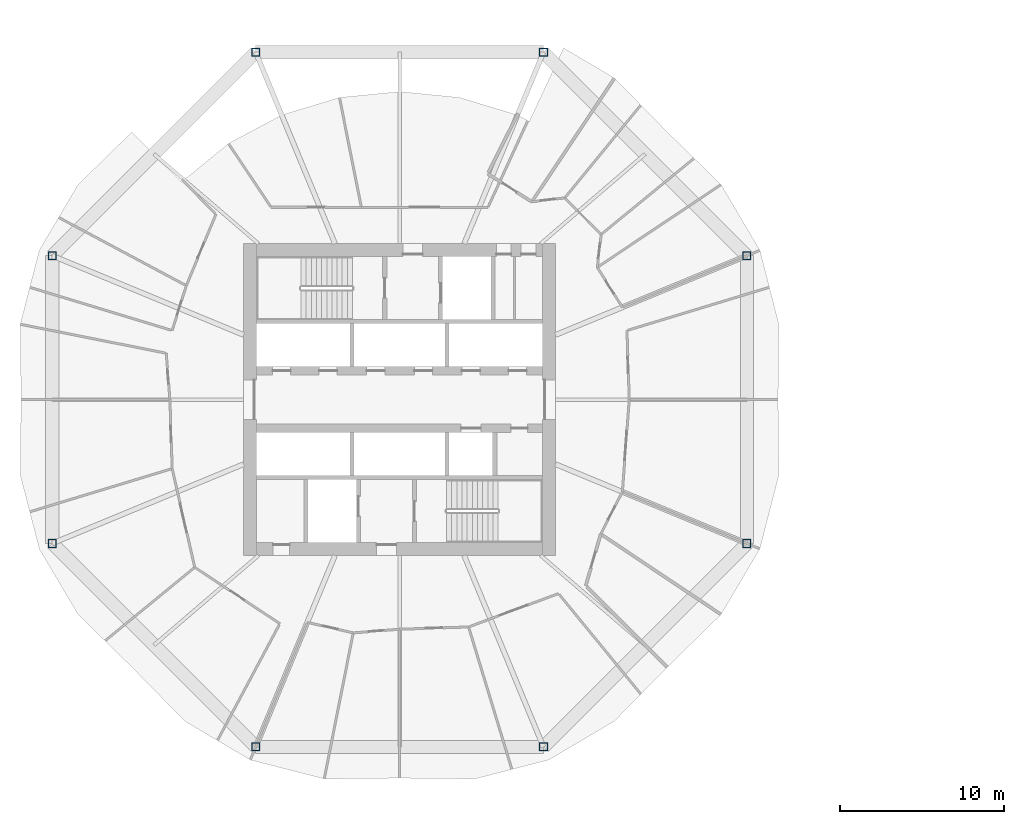
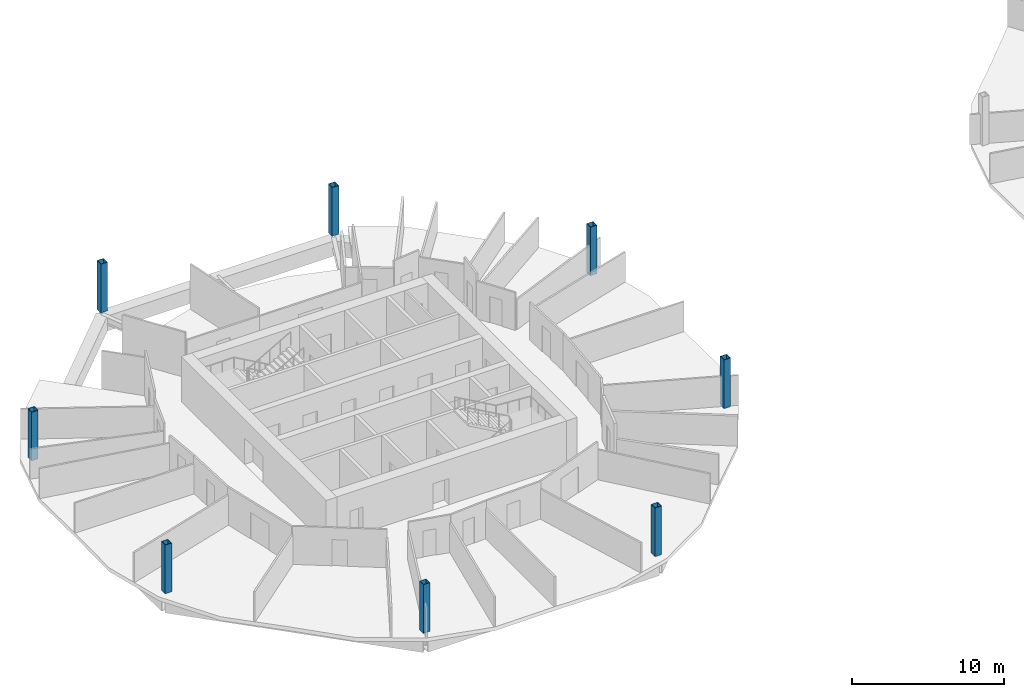
# One storey, part 1 of 10: 8 columns.
"""IFC4 building model written with IfcOpenShell, lengths in metres."""

from ifc_helpers import new_model, si_unit, direction, frame, origin, origin_2d, place, context, subcontext, project, spatial, hollow_rectangle, extrude, material, material_profile, profile_set, type_object, element, save


model = new_model("IFC4")

# Units and contexts
model_context = context("Model", 3, precision=1e-05, world=origin(), true_north=direction((0.0, 1.0)))
body_context = subcontext(model_context, "Body", "Model", "MODEL_VIEW")
ifc_project = project(units=[si_unit("LENGTHUNIT", "METRE"), si_unit("AREAUNIT", "SQUARE_METRE"), si_unit("VOLUMEUNIT", "CUBIC_METRE"), si_unit("PLANEANGLEUNIT", "RADIAN"), si_unit("MASSUNIT", "GRAM", prefix="KILO")], contexts=[model_context])

# Site, building, storey
site_placement = place(None, origin())
site = spatial("IfcSite", under=ifc_project, at=site_placement, CompositionType="ELEMENT")
building_placement = place(site_placement, origin())
building = spatial("IfcBuilding", under=site, at=building_placement, Name="Ogive Gate Towers", CompositionType="ELEMENT")
storey_placement = place(building_placement, frame((0.0, 0.0, 59.699951171875)))
storey = spatial("IfcBuildingStorey", under=building, at=storey_placement, Name="L13", CompositionType="ELEMENT", Elevation=59.699951171875)

# Columns
ifc_material = material(Name="Steel SM460", Category="steel")
ifc_material_profile = material_profile(ifc_material, hollow_rectangle(XDim=0.5, YDim=0.5, WallThickness=0.030029296875, at=origin_2d()), Name="BX 500x500x30")
ifc_profile_set = profile_set([ifc_material_profile], Name="Steel SM460")
column_type = type_object("IfcColumnType", Name="Perimeter post BX 500x500x30", PredefinedType="COLUMN", material=ifc_profile_set)
for number, where, z_axis, x_axis, name in (
    (1, (-14.84326171875, 8.763427734375, 0.0), (0.0, 0.0, 1.0), (1.0, 0.0, 0.0), "T1/L13/SCL001"),
    (2, (-27.236572265625, 21.15673828125, 0.0), (0.0, 0.0, 1.0), (1.0, 0.0, 0.0), "T1/L13/SCL002"),
    (3, (-44.763427734375, 21.15673828125, 0.0), (0.0, 0.0, 1.0), (1.0, 0.0, 0.0), "T1/L13/SCL003"),
    (4, (-57.15673828125, 8.763427734375, 0.0), (0.0, 0.0, 1.0), (1.0, 0.0, 0.0), "T1/L13/SCL004"),
    (5, (-57.15673828125, -8.763427734375, 0.0), (0.0, 0.0, 1.0), (1.0, 0.0, 0.0), "T1/L13/SCL005"),
    (6, (-44.763427734375, -21.15673828125, 0.0), (0.0, 0.0, 1.0), (1.0, 0.0, 0.0), "T1/L13/SCL006"),
    (7, (-27.236572265625, -21.15673828125, 0.0), (0.0, 0.0, 1.0), (1.0, 0.0, 0.0), "T1/L13/SCL007"),
    (8, (-14.84326171875, -8.763427734375, 0.0), (0.0, 0.0, 1.0), (1.0, 0.0, 0.0), "T1/L13/SCL008"),
):
    element("IfcColumn", number, at=place(storey_placement, frame(where, z_axis=z_axis, x_axis=x_axis)), inside=storey, type_object=column_type, Name=name, PredefinedType="COLUMN", context=body_context, shape_type="SweptSolid", body=[
        extrude(hollow_rectangle(XDim=0.5, YDim=0.5, WallThickness=0.030029296875, at=origin_2d()), origin(), (0.0, 0.0, 1.0), 3.900146484375),
    ])

save(model, "model.ifc")
